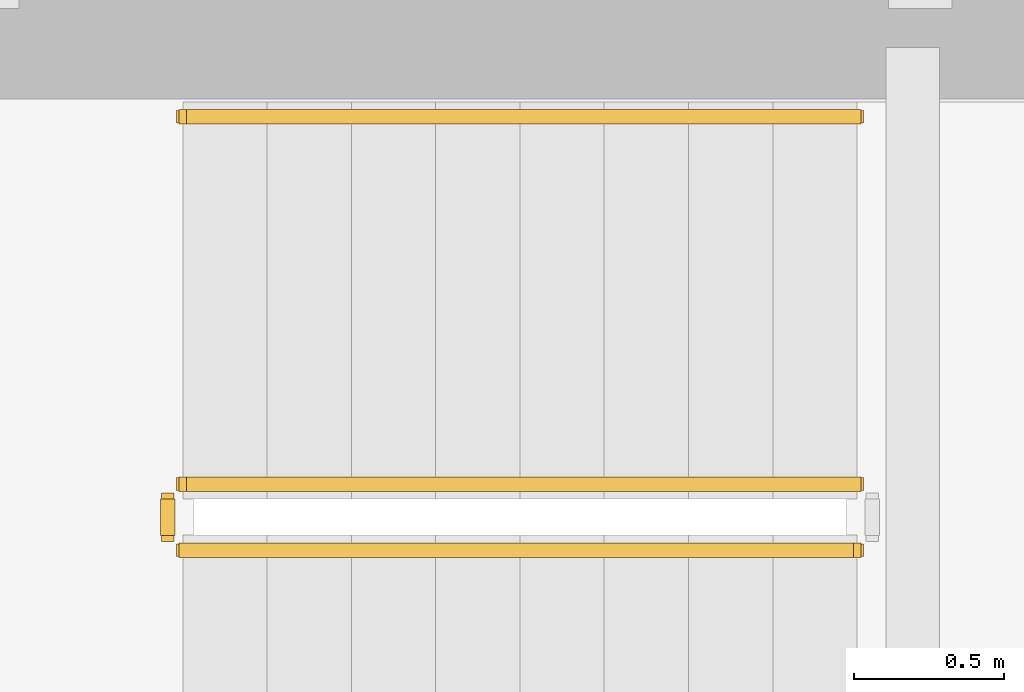
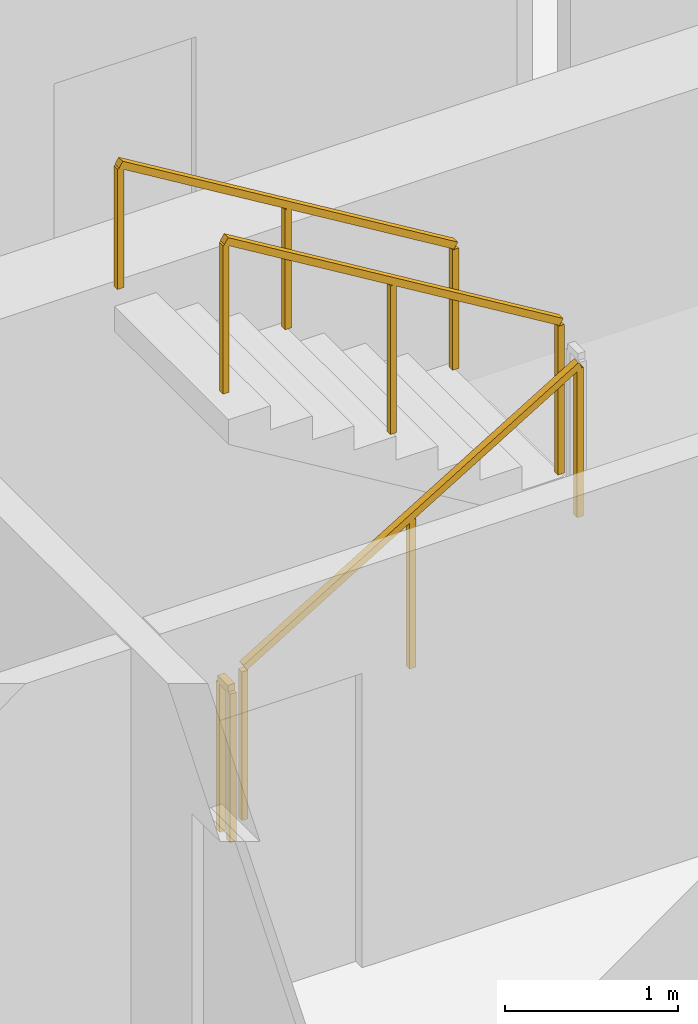
# One storey, part 10 of 12: 4 railings.
"""IFC4 building model written with IfcOpenShell, lengths in metres."""

from ifc_helpers import new_model, si_unit, direction, frame, origin, origin_2d, place, context, subcontext, project, spatial, rectangle, extrude, material, type_object, element, save


model = new_model("IFC4")

# Units and contexts
model_context = context("Model", 3, precision=1e-05, world=origin(), true_north=direction((0.0, 1.0)))
body_context = subcontext(model_context, "Body", "Model", "MODEL_VIEW")
ifc_project = project(units=[si_unit("LENGTHUNIT", "METRE"), si_unit("AREAUNIT", "SQUARE_METRE"), si_unit("VOLUMEUNIT", "CUBIC_METRE"), si_unit("PLANEANGLEUNIT", "RADIAN"), si_unit("MASSUNIT", "GRAM", prefix="KILO")], contexts=[model_context])

# Site, building, storey
site_placement = place(None, origin())
site = spatial("IfcSite", under=ifc_project, at=site_placement, CompositionType="ELEMENT")
building_placement = place(site_placement, origin())
building = spatial("IfcBuilding", under=site, at=building_placement, Name="Qhalaya Broadcast Tower", CompositionType="ELEMENT")
storey_placement = place(building_placement, frame((0.0, 0.0, 41.35009765625)))
storey = spatial("IfcBuildingStorey", under=building, at=storey_placement, Name="L11", CompositionType="ELEMENT", Elevation=41.35009765625)

# Railings
ifc_material = material(Name="Powder-Coated Galvanised Steel", Category="steel")
railing_type_1 = type_object("IfcRailingType", Name="Stair Wall Handrail 900", PredefinedType="HANDRAIL", material=ifc_material)
railing_1_placement = place(storey_placement, frame((5.989990234375, 9.590087890625, 1.6943359375)))
element("IfcRailing", 1, at=railing_1_placement, inside=storey, type_object=railing_type_1, Name="L11 ST-1 Stair Handrail 2", PredefinedType="HANDRAIL", context=body_context, shape_type="SweptSolid", body=[
    extrude(rectangle(XDim=0.048095703125, YDim=0.048095703125, at=origin_2d()), frame((0.0, 0.0, 0.8759765625), z_axis=(-0.855553338991, 0.0, 0.51771467445), x_axis=(0.0, -1.0, 0.0)), (0.0, 0.0, 1.0), 2.6181640625),
    extrude(rectangle(XDim=0.0419921875, YDim=0.0419921875, at=origin_2d()), origin(), (0.0, 0.0, 1.0), 0.849853515625),
    extrude(rectangle(XDim=0.0419921875, YDim=0.0419921875, at=origin_2d()), frame((-1.1201171875, 0.0, 0.677734375)), (0.0, 0.0, 1.0), 0.849853515625),
    extrude(rectangle(XDim=0.0419921875, YDim=0.0419921875, at=origin_2d()), frame((-2.239990234375, 0.0, 1.35546875)), (0.0, 0.0, 1.0), 0.849853515625),
])
railing_type_2 = type_object("IfcRailingType", Name="Stair Well & Landing Guardrail 1100", PredefinedType="GUARDRAIL", material=ifc_material)
railing_2_placement = place(storey_placement, frame((3.75, 8.14990234375, 0.16943359375)))
element("IfcRailing", 2, at=railing_2_placement, inside=storey, type_object=railing_type_2, Name="L11 ST-1 Stair Guard 1", PredefinedType="GUARDRAIL", context=body_context, shape_type="SweptSolid", body=[
    extrude(rectangle(XDim=0.048095703125, YDim=0.048095703125, at=origin_2d()), frame((0.0, 0.0, 1.076171875), z_axis=(0.855553338991, 0.0, 0.51771467445), x_axis=(0.0, 1.0, 0.0)), (0.0, 0.0, 1.0), 2.6181640625),
    extrude(rectangle(XDim=0.0419921875, YDim=0.0419921875, at=origin_2d()), origin(), (0.0, 0.0, 1.0), 1.050048828125),
    extrude(rectangle(XDim=0.0419921875, YDim=0.0419921875, at=origin_2d()), frame((1.1201171875, 0.0, 0.677734375)), (0.0, 0.0, 1.0), 1.050048828125),
    extrude(rectangle(XDim=0.0419921875, YDim=0.0419921875, at=origin_2d()), frame((2.239990234375, 0.0, 1.35546875)), (0.0, 0.0, 1.0), 1.050048828125),
])
railing_3_placement = place(storey_placement, frame((5.989990234375, 8.3701171875, 1.6943359375)))
element("IfcRailing", 3, at=railing_3_placement, inside=storey, type_object=railing_type_2, Name="L11 ST-1 Stair Guard 3", PredefinedType="GUARDRAIL", context=body_context, shape_type="SweptSolid", body=[
    extrude(rectangle(XDim=0.048095703125, YDim=0.048095703125, at=origin_2d()), frame((0.0, 0.0, 1.076171875), z_axis=(-0.855553338991, 0.0, 0.51771467445), x_axis=(0.0, -1.0, 0.0)), (0.0, 0.0, 1.0), 2.6181640625),
    extrude(rectangle(XDim=0.0419921875, YDim=0.0419921875, at=origin_2d()), origin(), (0.0, 0.0, 1.0), 1.050048828125),
    extrude(rectangle(XDim=0.0419921875, YDim=0.0419921875, at=origin_2d()), frame((-1.1201171875, 0.0, 0.677734375)), (0.0, 0.0, 1.0), 1.050048828125),
    extrude(rectangle(XDim=0.0419921875, YDim=0.0419921875, at=origin_2d()), frame((-2.239990234375, 0.0, 1.35546875)), (0.0, 0.0, 1.0), 1.050048828125),
])
railing_4_placement = place(storey_placement, frame((3.699951171875, 8.199951171875, 0.0)))
element("IfcRailing", 4, at=railing_4_placement, inside=storey, type_object=railing_type_2, Name="L11 ST-1 Stair Guard 4", PredefinedType="GUARDRAIL", context=body_context, shape_type="SweptSolid", body=[
    extrude(rectangle(XDim=0.048095703125, YDim=0.048095703125, at=origin_2d()), frame((0.0, 0.0, 1.076171875), z_axis=(0.0, 1.0, 0.0), x_axis=(-1.0, 0.0, 0.0)), (0.0, 0.0, 1.0), 0.1201171875),
    extrude(rectangle(XDim=0.0419921875, YDim=0.0419921875, at=origin_2d()), origin(), (0.0, 0.0, 1.0), 1.050048828125),
    extrude(rectangle(XDim=0.0419921875, YDim=0.0419921875, at=origin_2d()), frame((0.0, 0.1201171875, 0.0)), (0.0, 0.0, 1.0), 1.050048828125),
])

save(model, "model.ifc")
